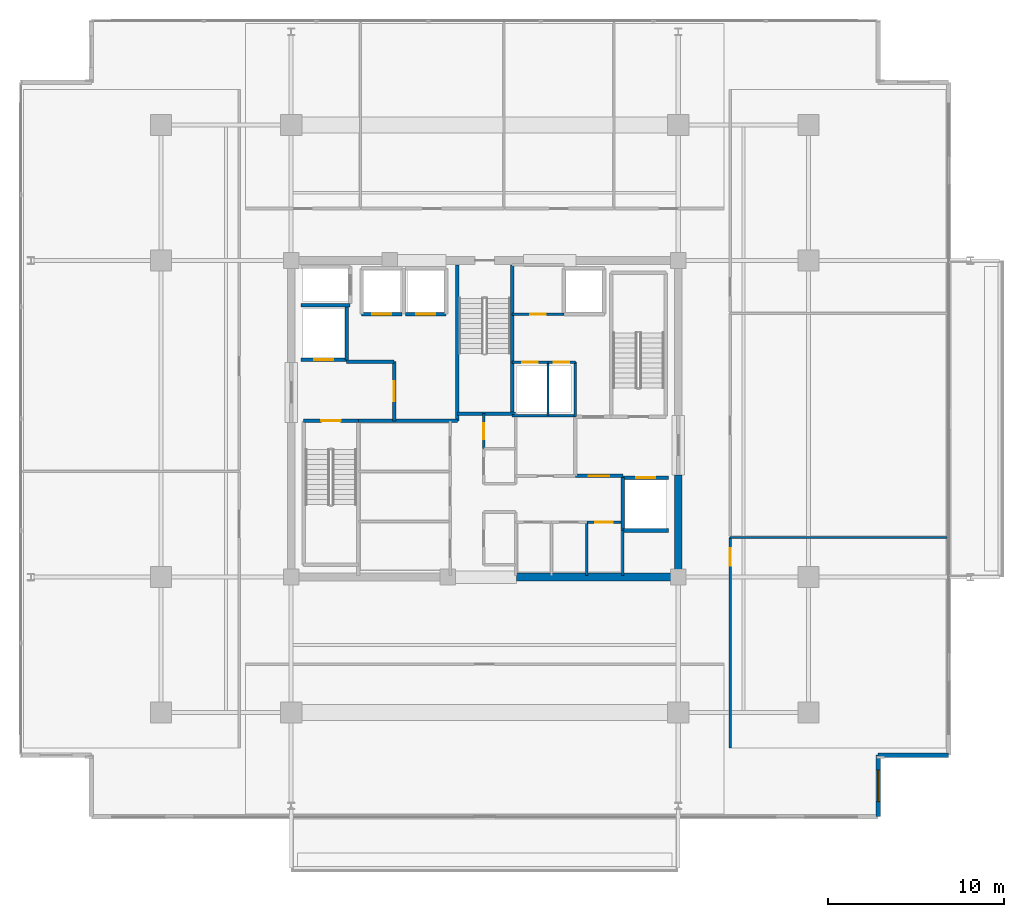
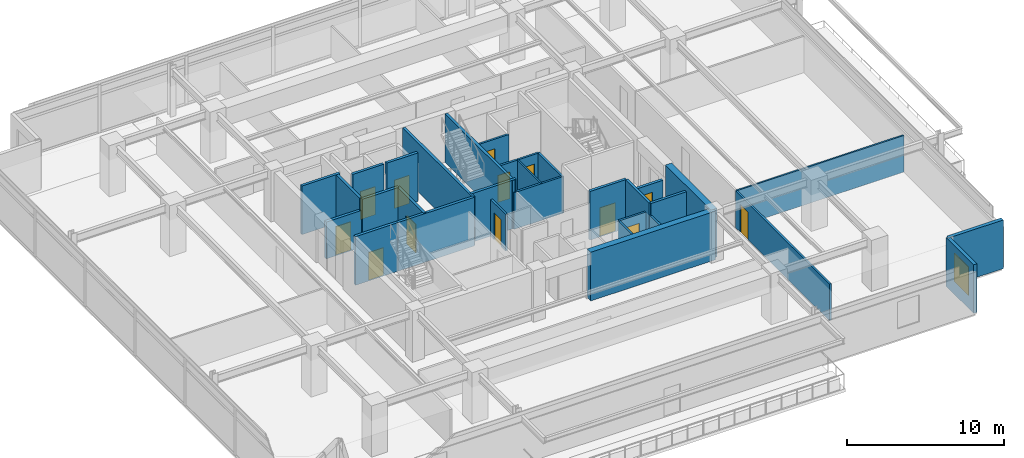
# One storey, part 17 of 24: 32 walls, 13 doors, 1 window, 14 openings.
"""IFC4 building model written with IfcOpenShell, lengths in metres."""

import ifcopenshell
import ifcopenshell.guid

model = None  # the IFC model being written
_history = None  # IfcOwnerHistory: only IFC2X3 demands one
_inside = {}  # id of a spatial element -> (the spatial element, [elements in it])
_under = {}  # id of a project, library or spatial element -> (it, [spatial elements below it])
_declared = {}  # id of a project -> (the project, [libraries it declares])
_typed = {}  # id of a type object -> (the type object, [elements of that type])
_made_of = {}  # id of a material, layer set ... -> (it, [elements and type objects made of it])


def new_model(schema):
    """Start an empty IFC model of exactly this schema.

    Asked for "IFC4X3", IfcOpenShell would pick the latest addendum, in which some entities
    have other attributes; the version numbers below select the first issue.
    IFC2X3 requires an IfcOwnerHistory on every rooted entity: one is made here for all.
    """
    global model, _history
    if schema == "IFC4X3":
        model = ifcopenshell.file(schema_version=(4, 3, 0, 0))
    else:
        model = ifcopenshell.file(schema=schema)
    _inside.clear()
    _under.clear()
    _declared.clear()
    _typed.clear()
    _made_of.clear()
    _history = None
    if model.schema == "IFC2X3":
        org = make("IfcOrganization", Name="unknown")
        user = make(
            "IfcPersonAndOrganization",
            ThePerson=make("IfcPerson", FamilyName="unknown"),
            TheOrganization=org,
        )
        app = make(
            "IfcApplication",
            ApplicationDeveloper=org,
            Version="unknown",
            ApplicationFullName="unknown",
            ApplicationIdentifier="unknown",
        )
        _history = make(
            "IfcOwnerHistory",
            OwningUser=user,
            OwningApplication=app,
            ChangeAction="ADDED",
            CreationDate=0,
        )
    return model


def make(cls, **values):
    """One entity of the class cls with the attributes given. An attribute that is None is left unset."""
    return model.create_entity(
        cls, **{name: value for name, value in values.items() if value is not None}
    )


def rooted(cls, **values):
    """An entity with a GlobalId (a new one), such as an element, a storey or a relation."""
    return make(cls, GlobalId=ifcopenshell.guid.new(), OwnerHistory=_history, **values)


def si_unit(unit_type, name, prefix=None):
    """IfcSIUnit, for example si_unit("LENGTHUNIT", "METRE", prefix="MILLI")."""
    return make("IfcSIUnit", UnitType=unit_type, Prefix=prefix, Name=name)


def assignment(units):
    """IfcUnitAssignment: the units of a project."""
    return None if units is None else make("IfcUnitAssignment", Units=units)


def point(xyz):
    """IfcCartesianPoint."""
    return None if xyz is None else make("IfcCartesianPoint", Coordinates=xyz)


def direction(xyz):
    """IfcDirection."""
    return None if xyz is None else make("IfcDirection", DirectionRatios=xyz)


def frame(location, z_axis=None, x_axis=None):
    """IfcAxis2Placement3D, a coordinate frame: its origin and axes. An axis left out is left unset."""
    return make(
        "IfcAxis2Placement3D",
        Location=point(location),
        Axis=direction(z_axis),
        RefDirection=direction(x_axis),
    )


def frame_2d(location, x_axis=None):
    """IfcAxis2Placement2D, a coordinate frame in the plane: its origin and x axis."""
    return make(
        "IfcAxis2Placement2D", Location=point(location), RefDirection=direction(x_axis)
    )


def origin():
    """The frame at (0, 0, 0) with its axes left unset."""
    return frame((0.0, 0.0, 0.0))


def place(relative_to, where):
    """IfcLocalPlacement: puts the frame where relative to a parent placement (None: the world)."""
    return make(
        "IfcLocalPlacement", PlacementRelTo=relative_to, RelativePlacement=where
    )


def context(
    kind, dimensions, precision=None, world=None, true_north=None, identifier=None
):
    """IfcGeometricRepresentationContext, for example the 3D "Model" context."""
    return make(
        "IfcGeometricRepresentationContext",
        ContextIdentifier=identifier,
        ContextType=kind,
        CoordinateSpaceDimension=dimensions,
        Precision=precision,
        WorldCoordinateSystem=world,
        TrueNorth=true_north,
    )


def subcontext(parent, identifier, kind, view, scale=None):
    """IfcGeometricRepresentationSubContext, for example "Body" below "Model"."""
    return make(
        "IfcGeometricRepresentationSubContext",
        ContextIdentifier=identifier,
        ContextType=kind,
        ParentContext=parent,
        TargetScale=scale,
        TargetView=view,
    )


def project(units=None, contexts=None):
    """IfcProject with its units and contexts."""
    return rooted(
        "IfcProject",
        Name="project",
        RepresentationContexts=contexts,
        UnitsInContext=assignment(units),
    )


def spatial(cls, under=None, at=None, **own):
    """A site, building, storey or space (cls), placed at a placement, below another one or the project."""
    s = rooted(cls, ObjectPlacement=at, **own)
    if under is not None:
        _under.setdefault(under.id(), (under, []))[1].append(s)
    return s


def profile(cls, at=None, kind="AREA", **sizes):
    """A parametric profile (cls). Its sizes go by their IFC names, for example OverallWidth=200.0."""
    return make(cls, ProfileType=kind, Position=at, **sizes)


def rectangle(**sizes):
    """IfcRectangleProfileDef."""
    return profile("IfcRectangleProfileDef", **sizes)


def extrude(swept, where, along, depth):
    """IfcExtrudedAreaSolid: the profile swept, set in the frame where, extruded along a direction by depth."""
    return make(
        "IfcExtrudedAreaSolid",
        SweptArea=swept,
        Position=where,
        ExtrudedDirection=direction(along),
        Depth=depth,
    )


def shape(context_of_items, identifier, shape_type, items):
    """IfcShapeRepresentation: the items that make up one representation, for example the "Body"."""
    return make(
        "IfcShapeRepresentation",
        ContextOfItems=context_of_items,
        RepresentationIdentifier=identifier,
        RepresentationType=shape_type,
        Items=items,
    )


def material(Name=None, Category=None):
    """IfcMaterial."""
    return make("IfcMaterial", Name=Name, Category=Category)


def layer(
    of_material, thickness, ventilated=None, Name=None, Category=None, Priority=None
):
    """IfcMaterialLayer: one layer of a wall or slab, of a material (None: an air gap)."""
    return make(
        "IfcMaterialLayer",
        Material=of_material,
        LayerThickness=thickness,
        IsVentilated=ventilated,
        Name=Name,
        Category=Category,
        Priority=Priority,
    )


def layer_set(layers, Name=None):
    """IfcMaterialLayerSet."""
    return make("IfcMaterialLayerSet", MaterialLayers=layers, LayerSetName=Name)


def made_of(thing, what):
    """Note that an element or type object is made of a material, layer set ...; save() writes the relation."""
    if what is not None:
        _made_of.setdefault(what.id(), (what, []))[1].append(thing)
    return thing


def type_object(cls, material=None, **own):
    """A type object (cls), such as IfcWallType, which elements share."""
    return made_of(rooted(cls, **own), material)


def element(
    cls,
    number,
    at=None,
    inside=None,
    cuts=None,
    type_object=None,
    material=None,
    context=None,
    identifier="Body",
    shape_type=None,
    held_by="IfcProductDefinitionShape",
    body=None,
    shapes=None,
    **own,
):
    """One element of the class cls, such as IfcWall. Its Tag is "e" and its number.

    at: its placement. inside: the storey or other place that contains it. cuts: it is an
    opening in that element (IfcRelVoidsElement). A single representation is given by context,
    identifier, shape_type and body (its items); several are given by shapes. held_by: the class
    of the entity that holds the representations. save() writes the other relations.
    """
    e = rooted(cls, Tag="e%d" % number, ObjectPlacement=at, **own)
    if body is not None:
        shapes = [shape(context, identifier, shape_type, body)]
    if shapes is not None:
        e.Representation = make(held_by, Representations=shapes)
    if inside is not None:
        _inside.setdefault(inside.id(), (inside, []))[1].append(e)
    if cuts is not None:
        rooted(
            "IfcRelVoidsElement", RelatingBuildingElement=cuts, RelatedOpeningElement=e
        )
    if type_object is not None:
        _typed.setdefault(type_object.id(), (type_object, []))[1].append(e)
    return made_of(e, material)


def fill(opening, filler):
    """IfcRelFillsElement: the door or window that sits in an opening."""
    return rooted(
        "IfcRelFillsElement",
        RelatingOpeningElement=opening,
        RelatedBuildingElement=filler,
    )


def aggregate(whole, parts):
    """IfcRelAggregates: a whole, such as a stair, and the parts it consists of."""
    return rooted("IfcRelAggregates", RelatingObject=whole, RelatedObjects=parts)


def save(model, path):
    """Write the relations noted so far, then the file.

    IfcRelAggregates (storeys below a building ...), IfcRelContainedInSpatialStructure (elements
    in a storey), IfcRelDefinesByType, IfcRelAssociatesMaterial and IfcRelDeclares: one each for
    every whole, place, type object, material and project.
    """
    for whole, parts in _under.values():
        aggregate(whole, parts)
    for where, things in _inside.values():
        rooted(
            "IfcRelContainedInSpatialStructure",
            RelatedElements=things,
            RelatingStructure=where,
        )
    for kind, things in _typed.values():
        rooted("IfcRelDefinesByType", RelatedObjects=things, RelatingType=kind)
    for what, things in _made_of.values():
        rooted("IfcRelAssociatesMaterial", RelatedObjects=things, RelatingMaterial=what)
    for by, libraries in _declared.values():
        rooted("IfcRelDeclares", RelatingContext=by, RelatedDefinitions=libraries)
    model.write(path)


model = new_model("IFC4")

# Units and contexts
model_context = context("Model", 3, precision=1e-05, world=origin(), true_north=direction((0.0, 1.0)))
body_context = subcontext(model_context, "Body", "Model", "MODEL_VIEW")
ifc_project = project(units=[si_unit("LENGTHUNIT", "METRE"), si_unit("AREAUNIT", "SQUARE_METRE"), si_unit("VOLUMEUNIT", "CUBIC_METRE"), si_unit("PLANEANGLEUNIT", "RADIAN"), si_unit("MASSUNIT", "GRAM", prefix="KILO")], contexts=[model_context])

# Site, building, storey
site_placement = place(None, origin())
site = spatial("IfcSite", under=ifc_project, at=site_placement, CompositionType="ELEMENT")
building_placement = place(site_placement, origin())
building = spatial("IfcBuilding", under=site, at=building_placement, Name="Kovane Verandah Tower", CompositionType="ELEMENT")
storey_placement = place(building_placement, frame((0.0, 0.0, 259.199951171875)))
storey = spatial("IfcBuildingStorey", under=building, at=storey_placement, Name="L60", CompositionType="ELEMENT", Elevation=259.199951171875)

# Wall, opening, door
ifc_material_1 = material(Name="Fire-Rated Gypsum Stud Partition", Category="gypsum")
ifc_layer_1 = layer(ifc_material_1, 0.14990234375)
ifc_layer_set_1 = layer_set([ifc_layer_1], Name="Fire-Rated Gypsum Stud Partition")
wall_type_1 = type_object("IfcWallType", Name="WL-COR-150", PredefinedType="PARTITIONING", material=ifc_layer_set_1)
wall_1_placement = place(storey_placement, frame((39.949951171875, 25.800048828125, 0.0), z_axis=(0.0, 0.0, 1.0), x_axis=(0.0, 1.0, 0.0)))
wall_1 = element("IfcWall", 1, at=wall_1_placement, inside=storey, type_object=wall_type_1, Name="L60 Accessible Unisex Toilet Partition", PredefinedType="PARTITIONING", context=body_context, shape_type="SweptSolid", body=[
    extrude(rectangle(XDim=2.0, YDim=0.14990234375, at=frame_2d((1.0, 0.0))), origin(), (0.0, 0.0, 1.0), 2.85009765625),
])
opening_1_placement = place(wall_1_placement, frame((0.550048828125, 0.0, 0.0)))
opening_1 = element("IfcOpeningElement", 2, at=opening_1_placement, cuts=wall_1, Name="Opening DR-L60-029", PredefinedType="OPENING", context=body_context, shape_type="SweptSolid", body=[
    extrude(rectangle(XDim=0.89990234375, YDim=2.10009765625, at=frame_2d((0.449951171875, 1.050048828125))), frame((0.0, 0.074951171875, 0.0), z_axis=(0.0, -1.0, 0.0), x_axis=(1.0, 0.0, 0.0)), (0.0, 0.0, 1.0), 0.14990234375),
])
ifc_material_2 = material(Name="Moisture-Resistant Laminate Washroom Door", Category="wood")
door_type_1 = type_object("IfcDoorType", Name="DR-WC-900", OperationType="SINGLE_SWING_LEFT", PredefinedType="DOOR", material=ifc_material_2)
door_1_placement = place(opening_1_placement, origin())
door_1 = element("IfcDoor", 3, at=door_1_placement, inside=storey, type_object=door_type_1, Name="L60 Accessible Unisex Toilet Door", OperationType="SINGLE_SWING_RIGHT", OverallHeight=2.10009765625, OverallWidth=0.89990234375, PredefinedType="DOOR", context=body_context, shape_type="SweptSolid", body=[
    extrude(rectangle(XDim=0.89990234375, YDim=2.10009765625, at=frame_2d((0.449951171875, 1.050048828125))), frame((0.0, 0.02490234375, 0.0), z_axis=(0.0, -1.0, 0.0), x_axis=(1.0, 0.0, 0.0)), (0.0, 0.0, 1.0), 0.050048828125),
])
fill(opening_1, door_1)

# Walls
wall_2_placement = place(storey_placement, frame((41.56005859375, 27.679931640625, 0.0), z_axis=(0.0, 0.0, 1.0), x_axis=(1.0, 0.0, 0.0)))
element("IfcWall", 4, at=wall_2_placement, inside=storey, type_object=wall_type_1, Name="L60 East Core Service Riser South Wall", PredefinedType="PARTITIONING", context=body_context, shape_type="SweptSolid", body=[
    extrude(rectangle(XDim=3.58984375, YDim=0.14990234375, at=frame_2d((1.794921875, 0.0))), origin(), (0.0, 0.0, 1.0), 2.85009765625),
])
wall_3_placement = place(storey_placement, frame((47.85009765625, 18.60009765625, 0.0), z_axis=(0.0, 0.0, 1.0), x_axis=(0.0, 1.0, 0.0)))
element("IfcWall", 5, at=wall_3_placement, inside=storey, type_object=wall_type_1, Name="L60 East Core Support East Wall", PredefinedType="PARTITIONING", context=body_context, shape_type="SweptSolid", body=[
    extrude(rectangle(XDim=2.539794921875, YDim=0.14990234375, at=frame_2d((1.27001953125, 0.0))), origin(), (0.0, 0.0, 1.0), 2.85009765625),
])

# Wall, opening, door
wall_4_placement = place(storey_placement, frame((45.800048828125, 21.6201171875, 0.0), z_axis=(0.0, 0.0, 1.0), x_axis=(1.0, 0.0, 0.0)))
wall_4 = element("IfcWall", 6, at=wall_4_placement, inside=storey, type_object=wall_type_1, Name="L60 Quiet Wellness Room Partition", PredefinedType="PARTITIONING", context=body_context, shape_type="SweptSolid", body=[
    extrude(rectangle(XDim=1.93994140625, YDim=0.14990234375, at=frame_2d((0.969970703125, 0.0))), origin(), (0.0, 0.0, 1.0), 2.85009765625),
])
opening_2_placement = place(wall_4_placement, frame((0.469970703125, 0.0, 0.0)))
opening_2 = element("IfcOpeningElement", 7, at=opening_2_placement, cuts=wall_4, Name="Opening DR-L60-019", PredefinedType="OPENING", context=body_context, shape_type="SweptSolid", body=[
    extrude(rectangle(XDim=1.0, YDim=2.14990234375, at=frame_2d((0.5, 1.074951171875))), frame((0.0, 0.074951171875, 0.0), z_axis=(0.0, -1.0, 0.0), x_axis=(1.0, 0.0, 0.0)), (0.0, 0.0, 1.0), 0.14990234375),
])
ifc_material_3 = material(Name="FSC Spotted-Gum Timber Fire-Rated Office Door", Category="wood")
door_type_2 = type_object("IfcDoorType", Name="DR-OFF-1000", OperationType="SINGLE_SWING_LEFT", PredefinedType="DOOR", material=ifc_material_3)
door_2_placement = place(opening_2_placement, origin())
door_2 = element("IfcDoor", 8, at=door_2_placement, inside=storey, type_object=door_type_2, Name="L60 Quiet Wellness Room Door", OperationType="SINGLE_SWING_RIGHT", OverallHeight=2.14990234375, OverallWidth=1.0, PredefinedType="DOOR", context=body_context, shape_type="SweptSolid", body=[
    extrude(rectangle(XDim=1.0, YDim=2.14990234375, at=frame_2d((0.5, 1.074951171875))), frame((0.0, 0.02490234375, 0.0), z_axis=(0.0, -1.0, 0.0), x_axis=(1.0, 0.0, 0.0)), (0.0, 0.0, 1.0), 0.050048828125),
])
fill(opening_2, door_2)

# Wall
wall_5_placement = place(storey_placement, frame((45.14990234375, 27.6201171875, 0.0), z_axis=(0.0, 0.0, 1.0), x_axis=(0.0, 1.0, 0.0)))
element("IfcWall", 9, at=wall_5_placement, inside=storey, type_object=wall_type_1, Name="L60 East Core Service Riser East Wall", PredefinedType="PARTITIONING", context=body_context, shape_type="SweptSolid", body=[
    extrude(rectangle(XDim=3.099853515625, YDim=0.14990234375, at=frame_2d((1.5498046875, 0.0))), origin(), (0.0, 0.0, 1.0), 2.85009765625),
])

# Wall, opening, door
wall_6_placement = place(storey_placement, frame((41.56005859375, 30.719970703125, 0.0), z_axis=(0.0, 0.0, 1.0), x_axis=(1.0, 0.0, 0.0)))
wall_6 = element("IfcWall", 10, at=wall_6_placement, inside=storey, type_object=wall_type_1, Name="L60 Electrical Sub-Main Riser Room Partition", PredefinedType="PARTITIONING", context=body_context, shape_type="SweptSolid", body=[
    extrude(rectangle(XDim=2.0400390625, YDim=0.14990234375, at=frame_2d((1.02001953125, 0.0))), origin(), (0.0, 0.0, 1.0), 2.85009765625),
])
opening_3_placement = place(wall_6_placement, frame((0.580078125, 0.0, 0.0)))
opening_3 = element("IfcOpeningElement", 11, at=opening_3_placement, cuts=wall_6, Name="Opening DR-L60-022", PredefinedType="OPENING", context=body_context, shape_type="SweptSolid", body=[
    extrude(rectangle(XDim=0.8798828125, YDim=2.10009765625, at=frame_2d((0.43994140625, 1.050048828125))), frame((0.0, 0.074951171875, 0.0), z_axis=(0.0, -1.0, 0.0), x_axis=(1.0, 0.0, 0.0)), (0.0, 0.0, 1.0), 0.14990234375),
])
ifc_material_4 = material(Name="Fire-Rated Steel Riser Access Door", Category="steel")
door_type_3 = type_object("IfcDoorType", Name="DR-RISER-880", OperationType="SINGLE_SWING_LEFT", PredefinedType="DOOR", material=ifc_material_4)
door_3_placement = place(opening_3_placement, origin())
door_3 = element("IfcDoor", 12, at=door_3_placement, inside=storey, type_object=door_type_3, Name="L60 Electrical Sub-Main Riser Room Door", OperationType="SINGLE_SWING_RIGHT", OverallHeight=2.10009765625, OverallWidth=0.8798828125, PredefinedType="DOOR", context=body_context, shape_type="SweptSolid", body=[
    extrude(rectangle(XDim=0.8798828125, YDim=2.10009765625, at=frame_2d((0.43994140625, 1.050048828125))), frame((0.0, 0.02490234375, 0.0), z_axis=(0.0, -1.0, 0.0), x_axis=(1.0, 0.0, 0.0)), (0.0, 0.0, 1.0), 0.050048828125),
])
fill(opening_3, door_3)

wall_7_placement = place(storey_placement, frame((43.60009765625, 30.719970703125, 0.0), z_axis=(0.0, 0.0, 1.0), x_axis=(1.0, 0.0, 0.0)))
wall_7 = element("IfcWall", 13, at=wall_7_placement, inside=storey, type_object=wall_type_1, Name="L60 Sprinkler Wet Riser Room Partition", PredefinedType="PARTITIONING", context=body_context, shape_type="SweptSolid", body=[
    extrude(rectangle(XDim=1.5498046875, YDim=0.14990234375, at=frame_2d((0.77490234375, 0.0))), origin(), (0.0, 0.0, 1.0), 2.85009765625),
])
opening_4_placement = place(wall_7_placement, frame((0.3349609375, 0.0, 0.0)))
opening_4 = element("IfcOpeningElement", 14, at=opening_4_placement, cuts=wall_7, Name="Opening DR-L60-023", PredefinedType="OPENING", context=body_context, shape_type="SweptSolid", body=[
    extrude(rectangle(XDim=0.8798828125, YDim=2.10009765625, at=frame_2d((0.43994140625, 1.050048828125))), frame((0.0, 0.074951171875, 0.0), z_axis=(0.0, -1.0, 0.0), x_axis=(1.0, 0.0, 0.0)), (0.0, 0.0, 1.0), 0.14990234375),
])
door_4_placement = place(opening_4_placement, origin())
door_4 = element("IfcDoor", 15, at=door_4_placement, inside=storey, type_object=door_type_3, Name="L60 Sprinkler Wet Riser Room Door", OperationType="SINGLE_SWING_LEFT", OverallHeight=2.10009765625, OverallWidth=0.8798828125, PredefinedType="DOOR", context=body_context, shape_type="SweptSolid", body=[
    extrude(rectangle(XDim=0.8798828125, YDim=2.10009765625, at=frame_2d((0.43994140625, 1.050048828125))), frame((0.0, 0.02490234375, 0.0), z_axis=(0.0, -1.0, 0.0), x_axis=(1.0, 0.0, 0.0)), (0.0, 0.0, 1.0), 0.050048828125),
])
fill(opening_4, door_4)

wall_8_placement = place(storey_placement, frame((41.56005859375, 33.449951171875, 0.0), z_axis=(0.0, 0.0, 1.0), x_axis=(1.0, 0.0, 0.0)))
wall_8 = element("IfcWall", 16, at=wall_8_placement, inside=storey, type_object=wall_type_1, Name="L60 Sky Telecom Riser Room Partition", PredefinedType="PARTITIONING", context=body_context, shape_type="SweptSolid", body=[
    extrude(rectangle(XDim=2.93994140625, YDim=0.14990234375, at=frame_2d((1.469970703125, 0.0))), origin(), (0.0, 0.0, 1.0), 2.85009765625),
])
opening_5_placement = place(wall_8_placement, frame((1.030029296875, 0.0, 0.0)))
opening_5 = element("IfcOpeningElement", 17, at=opening_5_placement, cuts=wall_8, Name="Opening DR-L60-021", PredefinedType="OPENING", context=body_context, shape_type="SweptSolid", body=[
    extrude(rectangle(XDim=0.8798828125, YDim=2.10009765625, at=frame_2d((0.43994140625, 1.050048828125))), frame((0.0, 0.074951171875, 0.0), z_axis=(0.0, -1.0, 0.0), x_axis=(1.0, 0.0, 0.0)), (0.0, 0.0, 1.0), 0.14990234375),
])
door_5_placement = place(opening_5_placement, origin())
door_5 = element("IfcDoor", 18, at=door_5_placement, inside=storey, type_object=door_type_3, Name="L60 Sky Telecom Riser Room Door", OperationType="SINGLE_SWING_RIGHT", OverallHeight=2.10009765625, OverallWidth=0.8798828125, PredefinedType="DOOR", context=body_context, shape_type="SweptSolid", body=[
    extrude(rectangle(XDim=0.8798828125, YDim=2.10009765625, at=frame_2d((0.43994140625, 1.050048828125))), frame((0.0, 0.02490234375, 0.0), z_axis=(0.0, -1.0, 0.0), x_axis=(1.0, 0.0, 0.0)), (0.0, 0.0, 1.0), 0.050048828125),
])
fill(opening_5, door_5)

wall_9_placement = place(storey_placement, frame((53.949951171875, 8.78173828125, 0.0), z_axis=(0.0, 0.0, 1.0), x_axis=(0.0, 1.0, 0.0)))
wall_9 = element("IfcWall", 19, at=wall_9_placement, inside=storey, type_object=wall_type_1, Name="L60 Focus Studio E1 Corridor Partition", PredefinedType="PARTITIONING", context=body_context, shape_type="SweptSolid", body=[
    extrude(rectangle(XDim=11.979736328125, YDim=0.14990234375, at=frame_2d((5.98974609375, 0.0))), origin(), (0.0, 0.0, 1.0), 2.85009765625),
])
opening_6_placement = place(wall_9_placement, frame((10.364013671875, 0.0, 0.0)))
opening_6 = element("IfcOpeningElement", 20, at=opening_6_placement, cuts=wall_9, Name="Opening DR-L60-011", PredefinedType="OPENING", context=body_context, shape_type="SweptSolid", body=[
    extrude(rectangle(XDim=1.0, YDim=2.14990234375, at=frame_2d((0.5, 1.074951171875))), frame((0.0, 0.074951171875, 0.0), z_axis=(0.0, -1.0, 0.0), x_axis=(1.0, 0.0, 0.0)), (0.0, 0.0, 1.0), 0.14990234375),
])
door_6_placement = place(opening_6_placement, origin())
door_6 = element("IfcDoor", 21, at=door_6_placement, inside=storey, type_object=door_type_2, Name="L60 Focus Studio E1 Entrance Door", OperationType="SINGLE_SWING_RIGHT", OverallHeight=2.14990234375, OverallWidth=1.0, PredefinedType="DOOR", context=body_context, shape_type="SweptSolid", body=[
    extrude(rectangle(XDim=1.0, YDim=2.14990234375, at=frame_2d((0.5, 1.074951171875))), frame((0.0, 0.02490234375, 0.0), z_axis=(0.0, -1.0, 0.0), x_axis=(1.0, 0.0, 0.0)), (0.0, 0.0, 1.0), 0.050048828125),
])
fill(opening_6, door_6)

# Walls
ifc_material_5 = material(Name="Concrete C60/75", Category="concrete")
ifc_layer_2 = layer(ifc_material_5, 0.449951171875)
ifc_layer_set_2 = layer_set([ifc_layer_2], Name="Concrete C60/75")
wall_type_2 = type_object("IfcWallType", Name="WL-CORE-450", PredefinedType="SHEAR", material=ifc_layer_set_2)
wall_10_placement = place(storey_placement, frame((41.800048828125, 18.5, 0.0), z_axis=(0.0, 0.0, 1.0), x_axis=(1.0, 0.0, 0.0)))
element("IfcWall", 22, at=wall_10_placement, inside=storey, type_object=wall_type_2, Name="L60 Core Shear Wall CS-2", PredefinedType="SHEAR", context=body_context, shape_type="SweptSolid", body=[
    extrude(rectangle(XDim=9.199951171875, YDim=0.449951171875, at=frame_2d((4.60009765625, 0.0))), origin(), (0.0, 0.0, 1.0), 3.78515625),
])
wall_11_placement = place(storey_placement, frame((51.0, 18.5, 0.0), z_axis=(0.0, 0.0, 1.0), x_axis=(0.0, 1.0, 0.0)))
element("IfcWall", 23, at=wall_11_placement, inside=storey, type_object=wall_type_2, Name="L60 Core Shear Wall CE-1", PredefinedType="SHEAR", context=body_context, shape_type="SweptSolid", body=[
    extrude(rectangle(XDim=5.800048828125, YDim=0.449951171875, at=frame_2d((2.89990234375, 0.0))), origin(), (0.0, 0.0, 1.0), 3.78515625),
])

# Wall, opening, door
ifc_material_6 = material(Name="Concrete C45/55 Fire Wall", Category="concrete")
ifc_layer_3 = layer(ifc_material_6, 0.199951171875)
ifc_layer_set_3 = layer_set([ifc_layer_3], Name="Concrete C45/55 Fire Wall")
wall_type_3 = type_object("IfcWallType", Name="WL-FFL-200", PredefinedType="PARTITIONING", material=ifc_layer_set_3)
wall_12_placement = place(storey_placement, frame((34.85009765625, 27.3798828125, 0.0), z_axis=(0.0, 0.0, 1.0), x_axis=(0.0, 1.0, 0.0)))
wall_12 = element("IfcWall", 24, at=wall_12_placement, inside=storey, type_object=wall_type_3, Name="W-L60-FFLW-E", PredefinedType="PARTITIONING", context=body_context, shape_type="SweptSolid", body=[
    extrude(rectangle(XDim=3.3701171875, YDim=0.199951171875, at=frame_2d((1.68505859375, 0.0))), origin(), (0.0, 0.0, 1.0), 3.78515625),
])
opening_7_placement = place(wall_12_placement, frame((1.110107421875, 0.0, 0.0)))
opening_7 = element("IfcOpeningElement", 25, at=opening_7_placement, cuts=wall_12, Name="Opening DR-L60-006", PredefinedType="OPENING", context=body_context, shape_type="SweptSolid", body=[
    extrude(rectangle(XDim=1.14990234375, YDim=2.199951171875, at=frame_2d((0.574951171875, 1.10009765625))), frame((0.0, 0.10009765625, 0.0), z_axis=(0.0, -1.0, 0.0), x_axis=(1.0, 0.0, 0.0)), (0.0, 0.0, 1.0), 0.199951171875),
])
ifc_material_7 = material(Name="Smoke-Sealed Firefighting Lobby Door", Category="steel")
door_type_4 = type_object("IfcDoorType", Name="DR-FFL-1150", OperationType="SINGLE_SWING_LEFT", PredefinedType="DOOR", material=ifc_material_7)
door_7_placement = place(opening_7_placement, origin())
door_7 = element("IfcDoor", 26, at=door_7_placement, inside=storey, type_object=door_type_4, Name="L60 West Firefighting Lobby Inner Door", OperationType="SINGLE_SWING_LEFT", OverallHeight=2.199951171875, OverallWidth=1.14990234375, PredefinedType="DOOR", context=body_context, shape_type="SweptSolid", body=[
    extrude(rectangle(XDim=1.14990234375, YDim=2.199951171875, at=frame_2d((0.574951171875, 1.10009765625))), frame((0.0, 0.02490234375, 0.0), z_axis=(0.0, -1.0, 0.0), x_axis=(1.0, 0.0, 0.0)), (0.0, 0.0, 1.0), 0.050048828125),
])
fill(opening_7, door_7)

# Walls
wall_13_placement = place(storey_placement, frame((32.820068359375, 27.3798828125, 0.0), z_axis=(0.0, 0.0, 1.0), x_axis=(1.0, 0.0, 0.0)))
element("IfcWall", 27, at=wall_13_placement, inside=storey, type_object=wall_type_3, Name="L60 West Firefighting Lobby South Fire Wall", PredefinedType="PARTITIONING", context=body_context, shape_type="SweptSolid", body=[
    extrude(rectangle(XDim=5.619873046875, YDim=0.199951171875, at=frame_2d((2.81005859375, 0.0))), origin(), (0.0, 0.0, 1.0), 3.78515625),
])
wall_14_placement = place(storey_placement, frame((32.14990234375, 30.75, 0.0), z_axis=(0.0, 0.0, 1.0), x_axis=(1.0, 0.0, 0.0)))
element("IfcWall", 28, at=wall_14_placement, inside=storey, type_object=wall_type_3, Name="L60 West Firefighting Lobby North Fire Wall", PredefinedType="PARTITIONING", context=body_context, shape_type="SweptSolid", body=[
    extrude(rectangle(XDim=2.7001953125, YDim=0.199951171875, at=frame_2d((1.35009765625, 0.0))), origin(), (0.0, 0.0, 1.0), 3.78515625),
])

# Wall, opening, door
wall_15_placement = place(storey_placement, frame((45.14990234375, 24.25, 0.0), z_axis=(0.0, 0.0, 1.0), x_axis=(1.0, 0.0, 0.0)))
wall_15 = element("IfcWall", 29, at=wall_15_placement, inside=storey, type_object=wall_type_3, Name="W-L60-FFLE-S", PredefinedType="PARTITIONING", context=body_context, shape_type="SweptSolid", body=[
    extrude(rectangle(XDim=2.7001953125, YDim=0.199951171875, at=frame_2d((1.35009765625, 0.0))), origin(), (0.0, 0.0, 1.0), 3.78515625),
])
opening_8_placement = place(wall_15_placement, frame((0.77490234375, 0.0, 0.0)))
opening_8 = element("IfcOpeningElement", 30, at=opening_8_placement, cuts=wall_15, Name="Opening DR-L60-003", PredefinedType="OPENING", context=body_context, shape_type="SweptSolid", body=[
    extrude(rectangle(XDim=1.14990234375, YDim=2.199951171875, at=frame_2d((0.574951171875, 1.10009765625))), frame((0.0, 0.10009765625, 0.0), z_axis=(0.0, -1.0, 0.0), x_axis=(1.0, 0.0, 0.0)), (0.0, 0.0, 1.0), 0.199951171875),
])
door_8_placement = place(opening_8_placement, origin())
door_8 = element("IfcDoor", 31, at=door_8_placement, inside=storey, type_object=door_type_4, Name="L60 East Firefighting Lobby Inner Door", OperationType="SINGLE_SWING_RIGHT", OverallHeight=2.199951171875, OverallWidth=1.14990234375, PredefinedType="DOOR", context=body_context, shape_type="SweptSolid", body=[
    extrude(rectangle(XDim=1.14990234375, YDim=2.199951171875, at=frame_2d((0.574951171875, 1.10009765625))), frame((0.0, 0.02490234375, 0.0), z_axis=(0.0, -1.0, 0.0), x_axis=(1.0, 0.0, 0.0)), (0.0, 0.0, 1.0), 0.050048828125),
])
fill(opening_8, door_8)

ifc_material_8 = material(Name="Concrete C45/55 Lift Shaft Wall", Category="concrete")
ifc_layer_4 = layer(ifc_material_8, 0.199951171875)
ifc_layer_set_4 = layer_set([ifc_layer_4], Name="Concrete C45/55 Lift Shaft Wall")
wall_type_4 = type_object("IfcWallType", Name="WL-LIFT-200", PredefinedType="SOLIDWALL", material=ifc_layer_set_4)
wall_16_placement = place(storey_placement, frame((29.550048828125, 30.85009765625, 0.0), z_axis=(0.0, 0.0, 1.0), x_axis=(1.0, 0.0, 0.0)))
wall_16 = element("IfcWall", 32, at=wall_16_placement, inside=storey, type_object=wall_type_4, Name="L60 Lift FL-01 S Shaft Wall", PredefinedType="SOLIDWALL", context=body_context, shape_type="SweptSolid", body=[
    extrude(rectangle(XDim=2.599853515625, YDim=0.199951171875, at=frame_2d((1.2998046875, 0.0))), origin(), (0.0, 0.0, 1.0), 2.864990234375),
])
opening_9_placement = place(wall_16_placement, frame((0.75, 0.0, 0.0)))
opening_9 = element("IfcOpeningElement", 33, at=opening_9_placement, cuts=wall_16, Name="Opening LD-L60-001", PredefinedType="OPENING", context=body_context, shape_type="SweptSolid", body=[
    extrude(rectangle(XDim=1.10009765625, YDim=2.199951171875, at=frame_2d((0.550048828125, 1.10009765625))), frame((0.0, 0.10009765625, 0.0), z_axis=(0.0, -1.0, 0.0), x_axis=(1.0, 0.0, 0.0)), (0.0, 0.0, 1.0), 0.199951171875),
])
ifc_material_9 = material(Name="Brushed Stainless Steel Sliding Lift Landing Door", Category="steel")
door_type_5 = type_object("IfcDoorType", Name="DR-LIFT-1100", OperationType="SLIDING_TO_RIGHT", PredefinedType="DOOR", material=ifc_material_9)
door_9_placement = place(opening_9_placement, origin())
door_9 = element("IfcDoor", 34, at=door_9_placement, inside=storey, type_object=door_type_5, Name="L60 Lift FL-01 Sliding Landing Door", OperationType="SLIDING_TO_RIGHT", OverallHeight=2.199951171875, OverallWidth=1.10009765625, PredefinedType="DOOR", context=body_context, shape_type="SweptSolid", body=[
    extrude(rectangle(XDim=1.10009765625, YDim=2.199951171875, at=frame_2d((0.550048828125, 1.10009765625))), frame((0.0, 0.02490234375, 0.0), z_axis=(0.0, -1.0, 0.0), x_axis=(1.0, 0.0, 0.0)), (0.0, 0.0, 1.0), 0.050048828125),
])
fill(opening_9, door_9)

# Walls
wall_17_placement = place(storey_placement, frame((29.550048828125, 33.949951171875, 0.0), z_axis=(0.0, 0.0, 1.0), x_axis=(1.0, 0.0, 0.0)))
element("IfcWall", 35, at=wall_17_placement, inside=storey, type_object=wall_type_4, Name="L60 Lift FL-01 and GL-01 Shared Shaft Wall", PredefinedType="SOLIDWALL", context=body_context, shape_type="SweptSolid", body=[
    extrude(rectangle(XDim=2.800048828125, YDim=0.199951171875, at=frame_2d((1.39990234375, 0.0))), origin(), (0.0, 0.0, 1.0), 3.78515625),
])
wall_18_placement = place(storey_placement, frame((32.14990234375, 30.85009765625, 0.0), z_axis=(0.0, 0.0, 1.0), x_axis=(0.0, 1.0, 0.0)))
element("IfcWall", 36, at=wall_18_placement, inside=storey, type_object=wall_type_4, Name="L60 Lift FL-01 E Shaft Wall", PredefinedType="SOLIDWALL", context=body_context, shape_type="SweptSolid", body=[
    extrude(rectangle(XDim=3.0, YDim=0.199951171875, at=frame_2d((1.5, 0.0))), origin(), (0.0, 0.0, 1.0), 3.78515625),
])
wall_19_placement = place(storey_placement, frame((47.85009765625, 21.14990234375, 0.0), z_axis=(0.0, 0.0, 1.0), x_axis=(1.0, 0.0, 0.0)))
element("IfcWall", 37, at=wall_19_placement, inside=storey, type_object=wall_type_4, Name="L60 Lift FL-02 S Shaft Wall", PredefinedType="SOLIDWALL", context=body_context, shape_type="SweptSolid", body=[
    extrude(rectangle(XDim=2.599853515625, YDim=0.199951171875, at=frame_2d((1.2998046875, 0.0))), origin(), (0.0, 0.0, 1.0), 3.78515625),
])

# Wall, opening, door
wall_20_placement = place(storey_placement, frame((50.449951171875, 24.14990234375, 0.0), z_axis=(0.0, 0.0, 1.0), x_axis=(-1.0, 0.0, 0.0)))
wall_20 = element("IfcWall", 38, at=wall_20_placement, inside=storey, type_object=wall_type_4, Name="L60 Lift FL-02 N Shaft Wall", PredefinedType="SOLIDWALL", context=body_context, shape_type="SweptSolid", body=[
    extrude(rectangle(XDim=2.599853515625, YDim=0.199951171875, at=frame_2d((1.2998046875, 0.0))), origin(), (0.0, 0.0, 1.0), 2.864990234375),
])
opening_10_placement = place(wall_20_placement, frame((0.75, 0.0, 0.0)))
opening_10 = element("IfcOpeningElement", 39, at=opening_10_placement, cuts=wall_20, Name="Opening LD-L60-002", PredefinedType="OPENING", context=body_context, shape_type="SweptSolid", body=[
    extrude(rectangle(XDim=1.10009765625, YDim=2.199951171875, at=frame_2d((0.550048828125, 1.10009765625))), frame((0.0, 0.10009765625, 0.0), z_axis=(0.0, -1.0, 0.0), x_axis=(1.0, 0.0, 0.0)), (0.0, 0.0, 1.0), 0.199951171875),
])
door_10_placement = place(opening_10_placement, origin())
door_10 = element("IfcDoor", 40, at=door_10_placement, inside=storey, type_object=door_type_5, Name="L60 Lift FL-02 Sliding Landing Door", OperationType="SLIDING_TO_RIGHT", OverallHeight=2.199951171875, OverallWidth=1.10009765625, PredefinedType="DOOR", context=body_context, shape_type="SweptSolid", body=[
    extrude(rectangle(XDim=1.10009765625, YDim=2.199951171875, at=frame_2d((0.550048828125, 1.10009765625))), frame((0.0, 0.02490234375, 0.0), z_axis=(0.0, -1.0, 0.0), x_axis=(1.0, 0.0, 0.0)), (0.0, 0.0, 1.0), 0.050048828125),
])
fill(opening_10, door_10)

# Wall
wall_21_placement = place(storey_placement, frame((47.85009765625, 24.14990234375, 0.0), z_axis=(0.0, 0.0, 1.0), x_axis=(0.0, -1.0, 0.0)))
element("IfcWall", 41, at=wall_21_placement, inside=storey, type_object=wall_type_4, Name="L60 Lift FL-02 W Shaft Wall", PredefinedType="SOLIDWALL", context=body_context, shape_type="SweptSolid", body=[
    extrude(rectangle(XDim=3.0, YDim=0.199951171875, at=frame_2d((1.5, 0.0))), origin(), (0.0, 0.0, 1.0), 3.78515625),
])

# Wall, opening, door
wall_22_placement = place(storey_placement, frame((33.0, 33.449951171875, 0.0), z_axis=(0.0, 0.0, 1.0), x_axis=(1.0, 0.0, 0.0)))
wall_22 = element("IfcWall", 42, at=wall_22_placement, inside=storey, type_object=wall_type_4, Name="L60 Lift PL-H1 S Shaft Wall", PredefinedType="SOLIDWALL", context=body_context, shape_type="SweptSolid", body=[
    extrude(rectangle(XDim=2.300048828125, YDim=0.199951171875, at=frame_2d((1.14990234375, 0.0))), origin(), (0.0, 0.0, 1.0), 3.78515625),
])
opening_11_placement = place(wall_22_placement, frame((0.60009765625, 0.0, 0.0)))
opening_11 = element("IfcOpeningElement", 43, at=opening_11_placement, cuts=wall_22, Name="Opening LD-L60-004", PredefinedType="OPENING", context=body_context, shape_type="SweptSolid", body=[
    extrude(rectangle(XDim=1.10009765625, YDim=2.199951171875, at=frame_2d((0.550048828125, 1.10009765625))), frame((0.0, 0.10009765625, 0.0), z_axis=(0.0, -1.0, 0.0), x_axis=(1.0, 0.0, 0.0)), (0.0, 0.0, 1.0), 0.199951171875),
])
door_11_placement = place(opening_11_placement, origin())
door_11 = element("IfcDoor", 44, at=door_11_placement, inside=storey, type_object=door_type_5, Name="L60 Lift PL-H1 Sliding Landing Door", OperationType="SLIDING_TO_RIGHT", OverallHeight=2.199951171875, OverallWidth=1.10009765625, PredefinedType="DOOR", context=body_context, shape_type="SweptSolid", body=[
    extrude(rectangle(XDim=1.10009765625, YDim=2.199951171875, at=frame_2d((0.550048828125, 1.10009765625))), frame((0.0, 0.02490234375, 0.0), z_axis=(0.0, -1.0, 0.0), x_axis=(1.0, 0.0, 0.0)), (0.0, 0.0, 1.0), 0.050048828125),
])
fill(opening_11, door_11)

wall_23_placement = place(storey_placement, frame((35.5, 33.449951171875, 0.0), z_axis=(0.0, 0.0, 1.0), x_axis=(1.0, 0.0, 0.0)))
wall_23 = element("IfcWall", 45, at=wall_23_placement, inside=storey, type_object=wall_type_4, Name="L60 Lift PL-H2 S Shaft Wall", PredefinedType="SOLIDWALL", context=body_context, shape_type="SweptSolid", body=[
    extrude(rectangle(XDim=2.300048828125, YDim=0.199951171875, at=frame_2d((1.14990234375, 0.0))), origin(), (0.0, 0.0, 1.0), 3.78515625),
])
opening_12_placement = place(wall_23_placement, frame((0.60009765625, 0.0, 0.0)))
opening_12 = element("IfcOpeningElement", 46, at=opening_12_placement, cuts=wall_23, Name="Opening LD-L60-005", PredefinedType="OPENING", context=body_context, shape_type="SweptSolid", body=[
    extrude(rectangle(XDim=1.10009765625, YDim=2.199951171875, at=frame_2d((0.550048828125, 1.10009765625))), frame((0.0, 0.10009765625, 0.0), z_axis=(0.0, -1.0, 0.0), x_axis=(1.0, 0.0, 0.0)), (0.0, 0.0, 1.0), 0.199951171875),
])
door_12_placement = place(opening_12_placement, origin())
door_12 = element("IfcDoor", 47, at=door_12_placement, inside=storey, type_object=door_type_5, Name="L60 Lift PL-H2 Sliding Landing Door", OperationType="SLIDING_TO_RIGHT", OverallHeight=2.199951171875, OverallWidth=1.10009765625, PredefinedType="DOOR", context=body_context, shape_type="SweptSolid", body=[
    extrude(rectangle(XDim=1.10009765625, YDim=2.199951171875, at=frame_2d((0.550048828125, 1.10009765625))), frame((0.0, 0.02490234375, 0.0), z_axis=(0.0, -1.0, 0.0), x_axis=(1.0, 0.0, 0.0)), (0.0, 0.0, 1.0), 0.050048828125),
])
fill(opening_12, door_12)

# Walls
ifc_material_10 = material(Name="Acoustic Fire-Rated Gypsum Partition", Category="gypsum")
ifc_layer_5 = layer(ifc_material_10, 0.1201171875)
ifc_layer_set_5 = layer_set([ifc_layer_5], Name="Acoustic Fire-Rated Gypsum Partition")
wall_type_5 = type_object("IfcWallType", Name="WL-PART-120", PredefinedType="PARTITIONING", material=ifc_layer_set_5)
wall_24_placement = place(storey_placement, frame((45.800048828125, 18.60009765625, 0.0), z_axis=(0.0, 0.0, 1.0), x_axis=(0.0, 1.0, 0.0)))
element("IfcWall", 48, at=wall_24_placement, inside=storey, type_object=wall_type_5, Name="L60 East Core Support Dividing Partition 2", PredefinedType="PARTITIONING", context=body_context, shape_type="SweptSolid", body=[
    extrude(rectangle(XDim=3.02001953125, YDim=0.1201171875, at=frame_2d((1.510009765625, 0.0))), origin(), (0.0, 0.0, 1.0), 2.85009765625),
])
wall_25_placement = place(storey_placement, frame((43.60009765625, 27.679931640625, 0.0), z_axis=(0.0, 0.0, 1.0), x_axis=(0.0, 1.0, 0.0)))
element("IfcWall", 49, at=wall_25_placement, inside=storey, type_object=wall_type_5, Name="L60 Service Riser Dividing Partition", PredefinedType="PARTITIONING", context=body_context, shape_type="SweptSolid", body=[
    extrude(rectangle(XDim=3.0400390625, YDim=0.1201171875, at=frame_2d((1.52001953125, 0.0))), origin(), (0.0, 0.0, 1.0), 2.85009765625),
])
wall_26_placement = place(storey_placement, frame((53.949951171875, 20.761474609375, 0.0), z_axis=(0.0, 0.0, 1.0), x_axis=(1.0, 0.0, 0.0)))
element("IfcWall", 50, at=wall_26_placement, inside=storey, type_object=wall_type_5, Name="L60 Focus Studio E1 Dividing Partition", PredefinedType="PARTITIONING", context=body_context, shape_type="SweptSolid", body=[
    extrude(rectangle(XDim=12.316650390625, YDim=0.1201171875, at=frame_2d((6.158203125, 0.0))), origin(), (0.0, 0.0, 1.0), 2.85009765625),
])

# Wall, opening, door
ifc_material_11 = material(Name="Concrete C45/55", Category="concrete")
ifc_layer_6 = layer(ifc_material_11, 0.199951171875)
ifc_layer_set_6 = layer_set([ifc_layer_6], Name="Concrete C45/55")
wall_type_6 = type_object("IfcWallType", Name="WL-SHAFT-200", PredefinedType="SOLIDWALL", material=ifc_layer_set_6)
wall_27_placement = place(storey_placement, frame((29.699951171875, 27.3798828125, 0.0), z_axis=(0.0, 0.0, 1.0), x_axis=(1.0, 0.0, 0.0)))
wall_27 = element("IfcWall", 51, at=wall_27_placement, inside=storey, type_object=wall_type_6, Name="W-L60-ST01-N", PredefinedType="SOLIDWALL", context=body_context, shape_type="SweptSolid", body=[
    extrude(rectangle(XDim=3.1201171875, YDim=0.199951171875, at=frame_2d((1.56005859375, 0.0))), origin(), (0.0, 0.0, 1.0), 3.78515625),
])
opening_13_placement = place(wall_27_placement, frame((1.010009765625, 0.0, 0.0)))
opening_13 = element("IfcOpeningElement", 52, at=opening_13_placement, cuts=wall_27, Name="Opening DR-L60-008", PredefinedType="OPENING", context=body_context, shape_type="SweptSolid", body=[
    extrude(rectangle(XDim=1.10009765625, YDim=2.14990234375, at=frame_2d((0.550048828125, 1.074951171875))), frame((0.0, 0.10009765625, 0.0), z_axis=(0.0, -1.0, 0.0), x_axis=(1.0, 0.0, 0.0)), (0.0, 0.0, 1.0), 0.199951171875),
])
ifc_material_12 = material(Name="Fire-Rated Steel Exit Door", Category="steel")
door_type_6 = type_object("IfcDoorType", Name="DR-STAIR-1100", OperationType="SINGLE_SWING_LEFT", PredefinedType="DOOR", material=ifc_material_12)
door_13_placement = place(opening_13_placement, origin())
door_13 = element("IfcDoor", 53, at=door_13_placement, inside=storey, type_object=door_type_6, Name="L60 ST-01 Fire Exit Stair Door", OperationType="SINGLE_SWING_LEFT", OverallHeight=2.14990234375, OverallWidth=1.10009765625, PredefinedType="DOOR", context=body_context, shape_type="SweptSolid", body=[
    extrude(rectangle(XDim=1.10009765625, YDim=2.14990234375, at=frame_2d((0.550048828125, 1.074951171875))), frame((0.0, 0.02490234375, 0.0), z_axis=(0.0, -1.0, 0.0), x_axis=(1.0, 0.0, 0.0)), (0.0, 0.0, 1.0), 0.050048828125),
])
fill(opening_13, door_13)

# Walls
wall_28_placement = place(storey_placement, frame((38.43994140625, 27.3798828125, 0.0), z_axis=(0.0, 0.0, 1.0), x_axis=(0.0, 1.0, 0.0)))
element("IfcWall", 54, at=wall_28_placement, inside=storey, type_object=wall_type_6, Name="W-L60-ST03-W", PredefinedType="SOLIDWALL", context=body_context, shape_type="SweptSolid", body=[
    extrude(rectangle(XDim=8.8701171875, YDim=0.199951171875, at=frame_2d((4.43505859375, 0.0))), origin(), (0.0, 0.0, 1.0), 3.78515625),
])
wall_29_placement = place(storey_placement, frame((41.56005859375, 27.679931640625, 0.0), z_axis=(0.0, 0.0, 1.0), x_axis=(0.0, 1.0, 0.0)))
element("IfcWall", 55, at=wall_29_placement, inside=storey, type_object=wall_type_6, Name="W-L60-ST03-E", PredefinedType="SOLIDWALL", context=body_context, shape_type="SweptSolid", body=[
    extrude(rectangle(XDim=8.570068359375, YDim=0.199951171875, at=frame_2d((4.28515625, 0.0))), origin(), (0.0, 0.0, 1.0), 3.78515625),
])
wall_30_placement = place(storey_placement, frame((38.43994140625, 27.800048828125, 0.0), z_axis=(0.0, 0.0, 1.0), x_axis=(1.0, 0.0, 0.0)))
element("IfcWall", 56, at=wall_30_placement, inside=storey, type_object=wall_type_6, Name="W-L60-ST03-S", PredefinedType="SOLIDWALL", context=body_context, shape_type="SweptSolid", body=[
    extrude(rectangle(XDim=3.320068359375, YDim=0.199951171875, at=frame_2d((1.66015625, 0.0))), origin(), (0.0, 0.0, 1.0), 3.78515625),
])

# Wall, opening, window
ifc_material_13 = material(Name="Concrete C45/55 Insulated Spandrel Wall", Category="concrete")
ifc_layer_7 = layer(ifc_material_13, 0.260009765625)
ifc_layer_set_7 = layer_set([ifc_layer_7], Name="Concrete C45/55 Insulated Spandrel Wall")
wall_type_7 = type_object("IfcWallType", Name="WL-SPANDREL-260", PredefinedType="PARAPET", material=ifc_layer_set_7)
wall_31_placement = place(storey_placement, frame((62.366455078125, 4.8818359375, 0.0), z_axis=(0.0, 0.0, 1.0), x_axis=(0.0, 1.0, 0.0)))
wall_31 = element("IfcWall", 57, at=wall_31_placement, inside=storey, type_object=wall_type_7, Name="L60 SE Notch Cheek Wall 1", PredefinedType="PARAPET", context=body_context, shape_type="SweptSolid", body=[
    extrude(rectangle(XDim=3.5, YDim=0.260009765625, at=frame_2d((1.75, 0.0))), origin(), (0.0, 0.0, 1.0), 3.78515625),
])
opening_14_placement = place(wall_31_placement, frame((0.85009765625, 0.0, 0.85009765625)))
opening_14 = element("IfcOpeningElement", 58, at=opening_14_placement, cuts=wall_31, Name="Opening W-03", PredefinedType="OPENING", context=body_context, shape_type="SweptSolid", body=[
    extrude(rectangle(XDim=1.800048828125, YDim=2.199951171875, at=frame_2d((0.89990234375, 1.10009765625))), frame((0.0, 0.1298828125, 0.0), z_axis=(0.0, -1.0, 0.0), x_axis=(1.0, 0.0, 0.0)), (0.0, 0.0, 1.0), 0.260009765625),
])
ifc_material_14 = material(Name="Clear Low-E Laminated Double Glazing in Anodised Frame", Category="glass")
window_type = type_object("IfcWindowType", Name="WN-NOTCH-1800x2200", PartitioningType="SINGLE_PANEL", PredefinedType="WINDOW", material=ifc_material_14)
window_placement = place(opening_14_placement, origin())
window = element("IfcWindow", 59, at=window_placement, inside=storey, type_object=window_type, Name="L60 SE Re-Entrant Corner Operable Window", OverallHeight=2.199951171875, OverallWidth=1.800048828125, PartitioningType="SINGLE_PANEL", PredefinedType="WINDOW", context=body_context, shape_type="SweptSolid", body=[
    extrude(rectangle(XDim=1.800048828125, YDim=2.199951171875, at=frame_2d((0.89990234375, 1.10009765625))), frame((0.0, 0.030029296875, 0.0), z_axis=(0.0, -1.0, 0.0), x_axis=(1.0, 0.0, 0.0)), (0.0, 0.0, 1.0), 0.06005859375),
])
fill(opening_14, window)

# Wall
wall_32_placement = place(storey_placement, frame((62.366455078125, 8.3818359375, 0.0), z_axis=(0.0, 0.0, 1.0), x_axis=(1.0, 0.0, 0.0)))
element("IfcWall", 60, at=wall_32_placement, inside=storey, type_object=wall_type_7, Name="L60 SE Notch Cheek Wall 2", PredefinedType="PARAPET", context=body_context, shape_type="SweptSolid", body=[
    extrude(rectangle(XDim=4.0, YDim=0.260009765625, at=frame_2d((2.0, 0.0))), origin(), (0.0, 0.0, 1.0), 3.78515625),
])

save(model, "model.ifc")
